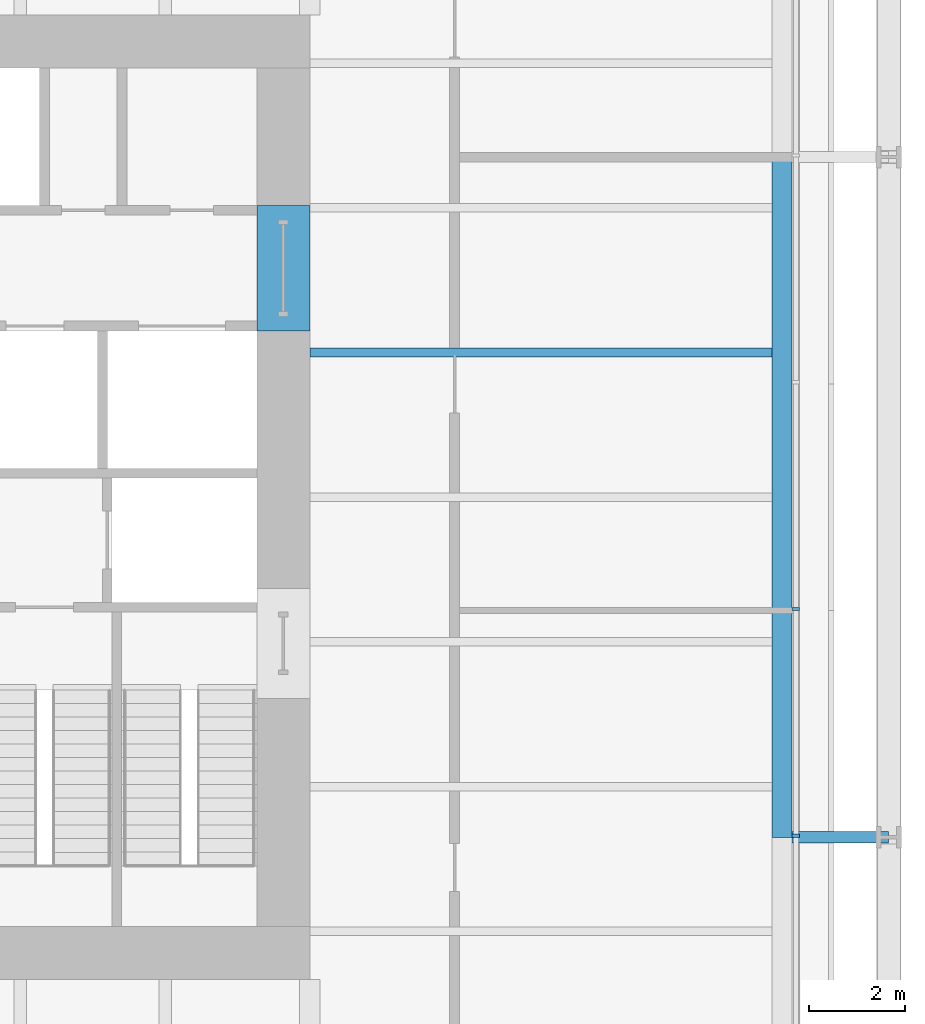
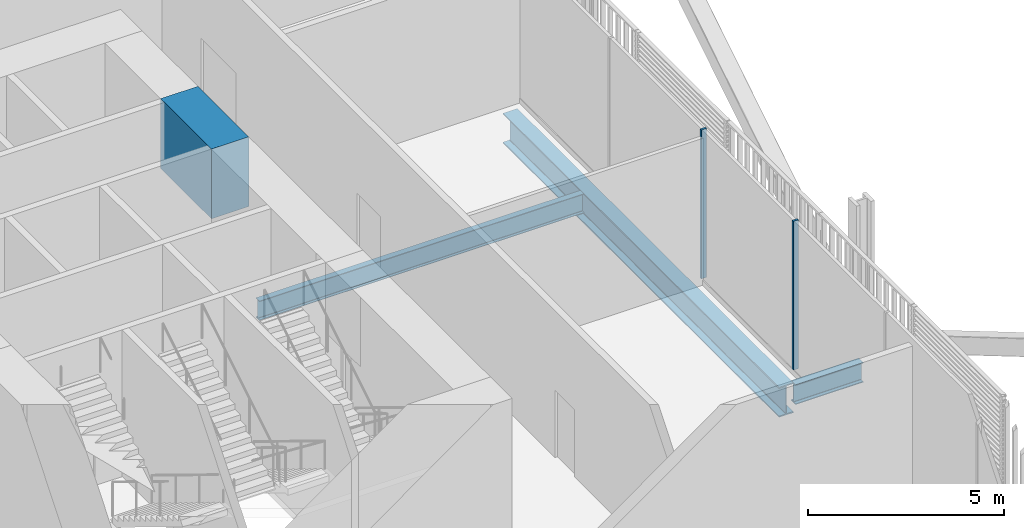
# One storey, part 9 of 22: 4 beams, 2 members, 1 element without a shape of its own.
"""IFC4 building model written with IfcOpenShell, lengths in metres."""

import ifcopenshell
import ifcopenshell.guid

model = None  # the IFC model being written
_history = None  # IfcOwnerHistory: only IFC2X3 demands one
_inside = {}  # id of a spatial element -> (the spatial element, [elements in it])
_under = {}  # id of a project, library or spatial element -> (it, [spatial elements below it])
_declared = {}  # id of a project -> (the project, [libraries it declares])
_typed = {}  # id of a type object -> (the type object, [elements of that type])
_made_of = {}  # id of a material, layer set ... -> (it, [elements and type objects made of it])


def new_model(schema):
    """Start an empty IFC model of exactly this schema.

    Asked for "IFC4X3", IfcOpenShell would pick the latest addendum, in which some entities
    have other attributes; the version numbers below select the first issue.
    IFC2X3 requires an IfcOwnerHistory on every rooted entity: one is made here for all.
    """
    global model, _history
    if schema == "IFC4X3":
        model = ifcopenshell.file(schema_version=(4, 3, 0, 0))
    else:
        model = ifcopenshell.file(schema=schema)
    _inside.clear()
    _under.clear()
    _declared.clear()
    _typed.clear()
    _made_of.clear()
    _history = None
    if model.schema == "IFC2X3":
        org = make("IfcOrganization", Name="unknown")
        user = make(
            "IfcPersonAndOrganization",
            ThePerson=make("IfcPerson", FamilyName="unknown"),
            TheOrganization=org,
        )
        app = make(
            "IfcApplication",
            ApplicationDeveloper=org,
            Version="unknown",
            ApplicationFullName="unknown",
            ApplicationIdentifier="unknown",
        )
        _history = make(
            "IfcOwnerHistory",
            OwningUser=user,
            OwningApplication=app,
            ChangeAction="ADDED",
            CreationDate=0,
        )
    return model


def make(cls, **values):
    """One entity of the class cls with the attributes given. An attribute that is None is left unset."""
    return model.create_entity(
        cls, **{name: value for name, value in values.items() if value is not None}
    )


def rooted(cls, **values):
    """An entity with a GlobalId (a new one), such as an element, a storey or a relation."""
    return make(cls, GlobalId=ifcopenshell.guid.new(), OwnerHistory=_history, **values)


def si_unit(unit_type, name, prefix=None):
    """IfcSIUnit, for example si_unit("LENGTHUNIT", "METRE", prefix="MILLI")."""
    return make("IfcSIUnit", UnitType=unit_type, Prefix=prefix, Name=name)


def assignment(units):
    """IfcUnitAssignment: the units of a project."""
    return None if units is None else make("IfcUnitAssignment", Units=units)


def point(xyz):
    """IfcCartesianPoint."""
    return None if xyz is None else make("IfcCartesianPoint", Coordinates=xyz)


def direction(xyz):
    """IfcDirection."""
    return None if xyz is None else make("IfcDirection", DirectionRatios=xyz)


def frame(location, z_axis=None, x_axis=None):
    """IfcAxis2Placement3D, a coordinate frame: its origin and axes. An axis left out is left unset."""
    return make(
        "IfcAxis2Placement3D",
        Location=point(location),
        Axis=direction(z_axis),
        RefDirection=direction(x_axis),
    )


def frame_2d(location, x_axis=None):
    """IfcAxis2Placement2D, a coordinate frame in the plane: its origin and x axis."""
    return make(
        "IfcAxis2Placement2D", Location=point(location), RefDirection=direction(x_axis)
    )


def origin():
    """The frame at (0, 0, 0) with its axes left unset."""
    return frame((0.0, 0.0, 0.0))


def origin_2d():
    """The frame at (0, 0) in the plane with its x axis left unset."""
    return frame_2d((0.0, 0.0))


def place(relative_to, where):
    """IfcLocalPlacement: puts the frame where relative to a parent placement (None: the world)."""
    return make(
        "IfcLocalPlacement", PlacementRelTo=relative_to, RelativePlacement=where
    )


def context(
    kind, dimensions, precision=None, world=None, true_north=None, identifier=None
):
    """IfcGeometricRepresentationContext, for example the 3D "Model" context."""
    return make(
        "IfcGeometricRepresentationContext",
        ContextIdentifier=identifier,
        ContextType=kind,
        CoordinateSpaceDimension=dimensions,
        Precision=precision,
        WorldCoordinateSystem=world,
        TrueNorth=true_north,
    )


def subcontext(parent, identifier, kind, view, scale=None):
    """IfcGeometricRepresentationSubContext, for example "Body" below "Model"."""
    return make(
        "IfcGeometricRepresentationSubContext",
        ContextIdentifier=identifier,
        ContextType=kind,
        ParentContext=parent,
        TargetScale=scale,
        TargetView=view,
    )


def project(units=None, contexts=None):
    """IfcProject with its units and contexts."""
    return rooted(
        "IfcProject",
        Name="project",
        RepresentationContexts=contexts,
        UnitsInContext=assignment(units),
    )


def spatial(cls, under=None, at=None, **own):
    """A site, building, storey or space (cls), placed at a placement, below another one or the project."""
    s = rooted(cls, ObjectPlacement=at, **own)
    if under is not None:
        _under.setdefault(under.id(), (under, []))[1].append(s)
    return s


def profile(cls, at=None, kind="AREA", **sizes):
    """A parametric profile (cls). Its sizes go by their IFC names, for example OverallWidth=200.0."""
    return make(cls, ProfileType=kind, Position=at, **sizes)


def rectangle(**sizes):
    """IfcRectangleProfileDef."""
    return profile("IfcRectangleProfileDef", **sizes)


def i_section(**sizes):
    """IfcIShapeProfileDef."""
    return profile("IfcIShapeProfileDef", **sizes)


def extrude(swept, where, along, depth):
    """IfcExtrudedAreaSolid: the profile swept, set in the frame where, extruded along a direction by depth."""
    return make(
        "IfcExtrudedAreaSolid",
        SweptArea=swept,
        Position=where,
        ExtrudedDirection=direction(along),
        Depth=depth,
    )


def shape(context_of_items, identifier, shape_type, items):
    """IfcShapeRepresentation: the items that make up one representation, for example the "Body"."""
    return make(
        "IfcShapeRepresentation",
        ContextOfItems=context_of_items,
        RepresentationIdentifier=identifier,
        RepresentationType=shape_type,
        Items=items,
    )


def material(Name=None, Category=None):
    """IfcMaterial."""
    return make("IfcMaterial", Name=Name, Category=Category)


def layer(
    of_material, thickness, ventilated=None, Name=None, Category=None, Priority=None
):
    """IfcMaterialLayer: one layer of a wall or slab, of a material (None: an air gap)."""
    return make(
        "IfcMaterialLayer",
        Material=of_material,
        LayerThickness=thickness,
        IsVentilated=ventilated,
        Name=Name,
        Category=Category,
        Priority=Priority,
    )


def layer_set(layers, Name=None):
    """IfcMaterialLayerSet."""
    return make("IfcMaterialLayerSet", MaterialLayers=layers, LayerSetName=Name)


def material_profile(
    of_material, cross_section, Name=None, Category=None, Priority=None
):
    """IfcMaterialProfile: a cross section and its material."""
    return make(
        "IfcMaterialProfile",
        Name=Name,
        Material=of_material,
        Profile=cross_section,
        Priority=Priority,
        Category=Category,
    )


def profile_set(profiles, Name=None, composite=None):
    """IfcMaterialProfileSet."""
    return make(
        "IfcMaterialProfileSet",
        Name=Name,
        MaterialProfiles=profiles,
        CompositeProfile=composite,
    )


def made_of(thing, what):
    """Note that an element or type object is made of a material, layer set ...; save() writes the relation."""
    if what is not None:
        _made_of.setdefault(what.id(), (what, []))[1].append(thing)
    return thing


def type_object(cls, material=None, **own):
    """A type object (cls), such as IfcWallType, which elements share."""
    return made_of(rooted(cls, **own), material)


def element(
    cls,
    number,
    at=None,
    inside=None,
    cuts=None,
    type_object=None,
    material=None,
    context=None,
    identifier="Body",
    shape_type=None,
    held_by="IfcProductDefinitionShape",
    body=None,
    shapes=None,
    **own,
):
    """One element of the class cls, such as IfcWall. Its Tag is "e" and its number.

    at: its placement. inside: the storey or other place that contains it. cuts: it is an
    opening in that element (IfcRelVoidsElement). A single representation is given by context,
    identifier, shape_type and body (its items); several are given by shapes. held_by: the class
    of the entity that holds the representations. save() writes the other relations.
    """
    e = rooted(cls, Tag="e%d" % number, ObjectPlacement=at, **own)
    if body is not None:
        shapes = [shape(context, identifier, shape_type, body)]
    if shapes is not None:
        e.Representation = make(held_by, Representations=shapes)
    if inside is not None:
        _inside.setdefault(inside.id(), (inside, []))[1].append(e)
    if cuts is not None:
        rooted(
            "IfcRelVoidsElement", RelatingBuildingElement=cuts, RelatedOpeningElement=e
        )
    if type_object is not None:
        _typed.setdefault(type_object.id(), (type_object, []))[1].append(e)
    return made_of(e, material)


def aggregate(whole, parts):
    """IfcRelAggregates: a whole, such as a stair, and the parts it consists of."""
    return rooted("IfcRelAggregates", RelatingObject=whole, RelatedObjects=parts)


def save(model, path):
    """Write the relations noted so far, then the file.

    IfcRelAggregates (storeys below a building ...), IfcRelContainedInSpatialStructure (elements
    in a storey), IfcRelDefinesByType, IfcRelAssociatesMaterial and IfcRelDeclares: one each for
    every whole, place, type object, material and project.
    """
    for whole, parts in _under.values():
        aggregate(whole, parts)
    for where, things in _inside.values():
        rooted(
            "IfcRelContainedInSpatialStructure",
            RelatedElements=things,
            RelatingStructure=where,
        )
    for kind, things in _typed.values():
        rooted("IfcRelDefinesByType", RelatedObjects=things, RelatingType=kind)
    for what, things in _made_of.values():
        rooted("IfcRelAssociatesMaterial", RelatedObjects=things, RelatingMaterial=what)
    for by, libraries in _declared.values():
        rooted("IfcRelDeclares", RelatingContext=by, RelatedDefinitions=libraries)
    model.write(path)


model = new_model("IFC4")

# Units and contexts
model_context = context("Model", 3, precision=1e-05, world=origin(), true_north=direction((0.0, 1.0)))
body_context = subcontext(model_context, "Body", "Model", "MODEL_VIEW")
ifc_project = project(units=[si_unit("LENGTHUNIT", "METRE"), si_unit("AREAUNIT", "SQUARE_METRE"), si_unit("VOLUMEUNIT", "CUBIC_METRE"), si_unit("PLANEANGLEUNIT", "RADIAN"), si_unit("MASSUNIT", "GRAM", prefix="KILO")], contexts=[model_context])

# Site, building, storey
site_placement = place(None, origin())
site = spatial("IfcSite", under=ifc_project, at=site_placement, CompositionType="ELEMENT")
building_placement = place(site_placement, origin())
building = spatial("IfcBuilding", under=site, at=building_placement, Name="Millrace Tower", CompositionType="ELEMENT")
storey_placement = place(building_placement, frame((0.0, 0.0, 20.89990234375)))
storey = spatial("IfcBuildingStorey", under=building, at=storey_placement, Name="L05", CompositionType="ELEMENT", Elevation=20.89990234375)

# Curtain wall, members
ifc_material_1 = material(Name="Aluminium and glass", Category="aluminium")
ifc_layer = layer(ifc_material_1, 0.14990234375)
ifc_layer_set = layer_set([ifc_layer], Name="Aluminium and glass")
curtain_wall_type = type_object("IfcCurtainWallType", Name="CW-2 data hall insulated curtain wall", PredefinedType="NOTDEFINED", material=ifc_layer_set)
curtain_wall_placement = place(storey_placement, origin())
curtain_wall = element("IfcCurtainWall", 1, at=curtain_wall_placement, inside=storey, type_object=curtain_wall_type, Name="Curtain wall A-F04 L05", PredefinedType="NOTDEFINED")
ifc_material_2 = material(Name="Aluminium", Category="aluminium")
ifc_material_profile_1 = material_profile(ifc_material_2, rectangle(XDim=0.06494140625, YDim=0.14990234375, at=origin_2d()))
ifc_profile_set_1 = profile_set([ifc_material_profile_1], Name="Aluminium")
member_type = type_object("IfcMemberType", Name="CW-2 data hall insulated curtain wall mullion", PredefinedType="MULLION", material=ifc_profile_set_1)
member_1_placement = place(storey_placement, frame((25.074951171875, -7.017578125, 0.16015625), z_axis=(0.0, 0.0, 1.0), x_axis=(0.0, 1.0, 0.0)))
member_1 = element("IfcMember", 2, at=member_1_placement, type_object=member_type, Name="CW2 mullion A-F04.4", PredefinedType="MULLION", context=body_context, shape_type="SweptSolid", body=[
    extrude(rectangle(XDim=0.06494140625, YDim=0.14990234375, at=origin_2d()), origin(), (0.0, 0.0, 1.0), 4.639892578125),
])
member_2_placement = place(storey_placement, frame((25.074951171875, -2.3173828125, 0.16015625), z_axis=(0.0, 0.0, 1.0), x_axis=(0.0, 1.0, 0.0)))
member_2 = element("IfcMember", 3, at=member_2_placement, type_object=member_type, Name="CW2 mullion A-F04.5", PredefinedType="MULLION", context=body_context, shape_type="SweptSolid", body=[
    extrude(rectangle(XDim=0.06494140625, YDim=0.14990234375, at=origin_2d()), origin(), (0.0, 0.0, 1.0), 4.639892578125),
])
aggregate(curtain_wall, [member_1, member_2])

# Beams
ifc_material_3 = material(Name="Concrete C80", Category="concrete")
ifc_material_profile_2 = material_profile(ifc_material_3, rectangle(XDim=1.10009765625, YDim=2.175048828125, at=origin_2d()))
ifc_profile_set_2 = profile_set([ifc_material_profile_2], Name="Concrete C80")
beam_type_1 = type_object("IfcBeamType", Name="Coupling beam 1100 x 2175 Concrete C80, 2000 opening", PredefinedType="BEAM", material=ifc_profile_set_2)
beam_1_placement = place(storey_placement, frame((14.449951171875, 6.050048828125, 3.487548828125), z_axis=(0.0, -1.0, 0.0), x_axis=(1.0, 0.0, 0.0)))
element("IfcBeam", 4, at=beam_1_placement, inside=storey, type_object=beam_type_1, Name="Coupling beam E L05", PredefinedType="BEAM", context=body_context, shape_type="SweptSolid", body=[
    extrude(rectangle(XDim=1.10009765625, YDim=2.175048828125, at=origin_2d()), origin(), (0.0, 0.0, 1.0), 2.60009765625),
])
ifc_material_4 = material(Name="Steel ASTM A992 Grade 50", Category="steel")
ifc_material_profile_3 = material_profile(ifc_material_4, i_section(OverallWidth=0.1787109375, OverallDepth=0.60205078125, WebThickness=0.010986328125, FlangeThickness=0.014892578125, FilletRadius=0.0126953125, at=origin_2d()))
ifc_profile_set_3 = profile_set([ifc_material_profile_3], Name="Steel ASTM A992 Grade 50")
beam_type_2 = type_object("IfcBeamType", Name="Floor beam W24x62", PredefinedType="JOIST", material=ifc_profile_set_3)
beam_2_placement = place(storey_placement, frame((15.0, 3.0, -0.52587890625), z_axis=(1.0, 0.0, 0.0), x_axis=(0.0, 1.0, 0.0)))
element("IfcBeam", 5, at=beam_2_placement, inside=storey, type_object=beam_type_2, Name="BM-A-L05-S1-S025", PredefinedType="JOIST", context=body_context, shape_type="SweptSolid", body=[
    extrude(i_section(OverallWidth=0.1787109375, OverallDepth=0.60205078125, WebThickness=0.010986328125, FlangeThickness=0.014892578125, FilletRadius=0.0126953125, at=origin_2d()), origin(), (0.0, 0.0, 1.0), 9.578369140625),
])
ifc_material_5 = material(Name="Steel ASTM A992 Grade 50", Category="steel")
ifc_material_profile_4 = material_profile(ifc_material_5, i_section(OverallWidth=0.23046875, OverallDepth=0.6171875, WebThickness=0.01318359375, FlangeThickness=0.022216796875, FilletRadius=0.012939453125, at=origin_2d()))
ifc_profile_set_4 = profile_set([ifc_material_profile_4], Name="Steel ASTM A992 Grade 50")
beam_type_3 = type_object("IfcBeamType", Name="Link beam W24x94", PredefinedType="BEAM", material=ifc_profile_set_4)
beam_3_placement = place(storey_placement, frame((25.0, -7.050048828125, -0.533447265625), z_axis=(1.0, 0.0, 0.0), x_axis=(0.0, 1.0, 0.0)))
element("IfcBeam", 6, at=beam_3_placement, inside=storey, type_object=beam_type_3, Name="LNK-A-L05-S1-11", PredefinedType="BEAM", context=body_context, shape_type="SweptSolid", body=[
    extrude(i_section(OverallWidth=0.23046875, OverallDepth=0.6171875, WebThickness=0.01318359375, FlangeThickness=0.022216796875, FilletRadius=0.012939453125, at=origin_2d()), origin(), (0.0, 0.0, 1.0), 2.0),
])
ifc_material_6 = material(Name="Steel ASTM A992 Grade 50", Category="steel")
ifc_material_profile_5 = material_profile(ifc_material_6, i_section(OverallWidth=0.421630859375, OverallDepth=0.937255859375, WebThickness=0.021240234375, FlangeThickness=0.03662109375, FilletRadius=0.024169921875, at=origin_2d()))
ifc_profile_set_5 = profile_set([ifc_material_profile_5], Name="Steel ASTM A992 Grade 50")
beam_type_4 = type_object("IfcBeamType", Name="Ring beam medium span W36x262", PredefinedType="SPANDREL", material=ifc_profile_set_5)
beam_4_placement = place(storey_placement, frame((24.7890625, 7.050048828125, -0.693603515625), z_axis=(0.0, -1.0, 0.0), x_axis=(1.0, 0.0, 0.0)))
element("IfcBeam", 7, at=beam_4_placement, inside=storey, type_object=beam_type_4, Name="RNG-A-L05-S1-10", PredefinedType="SPANDREL", context=body_context, shape_type="SweptSolid", body=[
    extrude(i_section(OverallWidth=0.421630859375, OverallDepth=0.937255859375, WebThickness=0.021240234375, FlangeThickness=0.03662109375, FilletRadius=0.024169921875, at=origin_2d()), origin(), (0.0, 0.0, 1.0), 14.10009765625),
])

save(model, "model.ifc")
